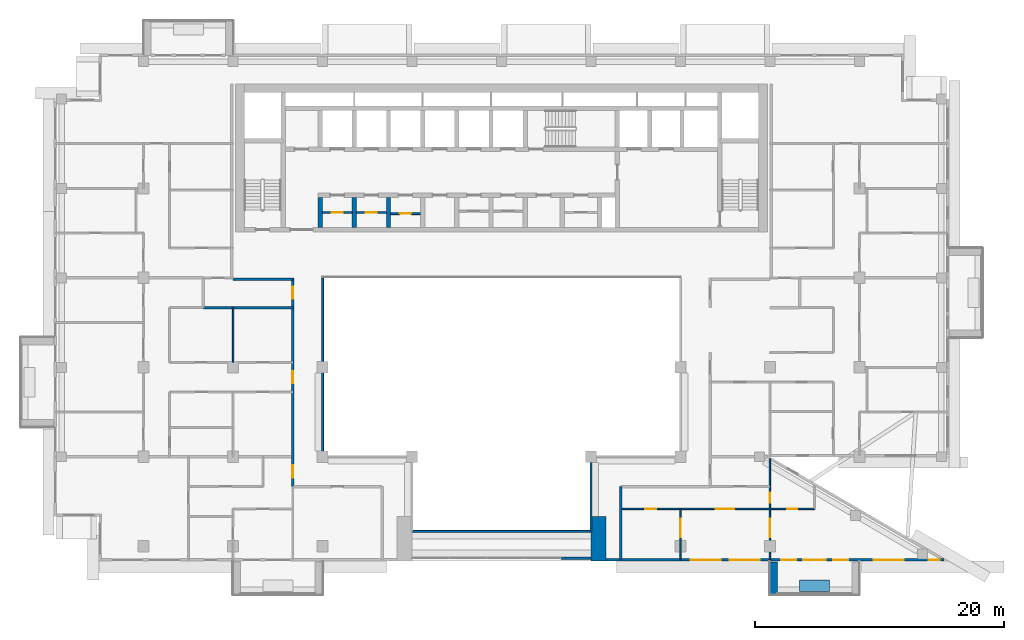
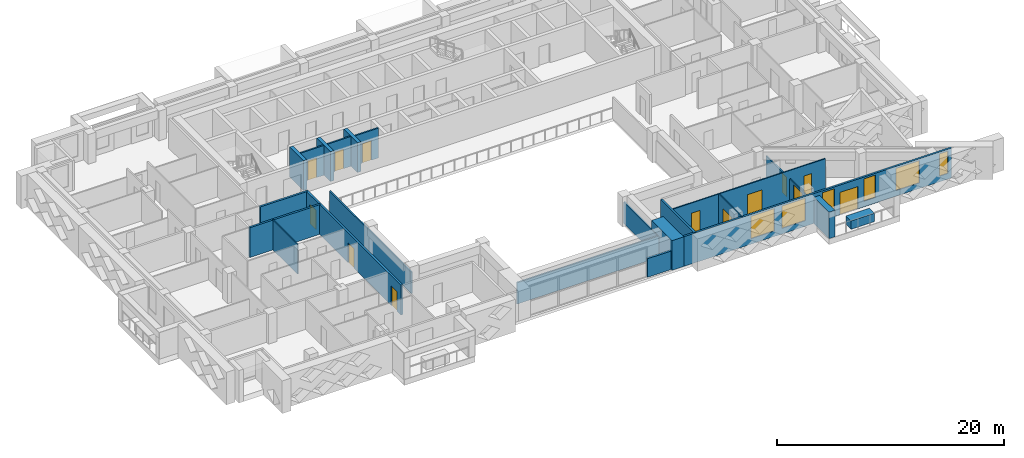
# One storey, part 8 of 20: 22 walls, 13 doors, 6 windows, 19 openings.
"""IFC4 building model written with IfcOpenShell, lengths in metres."""

from ifc_helpers import new_model, si_unit, direction, frame, frame_2d, origin, place, context, subcontext, project, spatial, rectangle, extrude, material, layer, layer_set, type_object, element, fill, save


model = new_model("IFC4")

# Units and contexts
model_context = context("Model", 3, precision=1e-05, world=origin(), true_north=direction((0.0, 1.0)))
body_context = subcontext(model_context, "Body", "Model", "MODEL_VIEW")
ifc_project = project(units=[si_unit("LENGTHUNIT", "METRE"), si_unit("AREAUNIT", "SQUARE_METRE"), si_unit("VOLUMEUNIT", "CUBIC_METRE"), si_unit("PLANEANGLEUNIT", "RADIAN"), si_unit("MASSUNIT", "GRAM", prefix="KILO")], contexts=[model_context])

# Site, building, storey
site_placement = place(None, origin())
site = spatial("IfcSite", under=ifc_project, at=site_placement, CompositionType="ELEMENT")
building_placement = place(site_placement, origin())
building = spatial("IfcBuilding", under=site, at=building_placement, Name="Saffron Iwan Residences", CompositionType="ELEMENT")
storey_placement = place(building_placement, frame((0.0, 0.0, 199.0)))
storey = spatial("IfcBuildingStorey", under=building, at=storey_placement, Name="L53", CompositionType="ELEMENT", Elevation=199.0)

# Walls
ifc_material_1 = material(Name="Fire-rated glazing", Category="glass")
ifc_layer_1 = layer(ifc_material_1, 0.14990234375)
ifc_layer_set_1 = layer_set([ifc_layer_1], Name="Fire-rated glazing")
wall_type_1 = type_object("IfcWallType", Name="Atrium glazed screen 150", PredefinedType="SOLIDWALL", material=ifc_layer_set_1)
wall_1_placement = place(storey_placement, frame((43.199951171875, 42.0, 0.0), z_axis=(0.0, 0.0, 1.0), x_axis=(1.0, 0.0, 0.0)))
element("IfcWall", 1, at=wall_1_placement, inside=storey, type_object=wall_type_1, Name="W-L53-SCREEN-h42-43.2", PredefinedType="SOLIDWALL", context=body_context, shape_type="SweptSolid", body=[
    extrude(rectangle(XDim=14.400146484375, YDim=0.14990234375, at=frame_2d((7.2001953125, 0.0))), origin(), (0.0, 0.0, 1.0), 2.300048828125),
])
wall_2_placement = place(storey_placement, frame((36.0, 48.0, 0.0), z_axis=(0.0, 0.0, 1.0), x_axis=(0.0, 1.0, 0.0)))
element("IfcWall", 2, at=wall_2_placement, inside=storey, type_object=wall_type_1, Name="W-L53-SCREEN-v36-48", PredefinedType="SOLIDWALL", context=body_context, shape_type="SweptSolid", body=[
    extrude(rectangle(XDim=14.39990234375, YDim=0.14990234375, at=frame_2d((7.199951171875, 0.0))), origin(), (0.0, 0.0, 1.0), 2.300048828125),
])
wall_3_placement = place(storey_placement, frame((57.60009765625, 42.0, 0.0), z_axis=(0.0, 0.0, 1.0), x_axis=(0.0, 1.0, 0.0)))
element("IfcWall", 3, at=wall_3_placement, inside=storey, type_object=wall_type_1, Name="W-L53-SCREEN-v57.6-42", PredefinedType="SOLIDWALL", context=body_context, shape_type="SweptSolid", body=[
    extrude(rectangle(XDim=6.0, YDim=0.14990234375, at=frame_2d((3.0, 0.0))), origin(), (0.0, 0.0, 1.0), 2.300048828125),
])
ifc_material_2 = material(Name="Concrete C50/60 white painted", Category="concrete")
ifc_layer_2 = layer(ifc_material_2, 0.60009765625)
ifc_layer_set_2 = layer_set([ifc_layer_2], Name="Concrete C50/60 white painted")
wall_type_2 = type_object("IfcWallType", Name="BALCONY FIN 600", PredefinedType="SOLIDWALL", material=ifc_layer_set_2)
wall_4_placement = place(storey_placement, frame((72.300048828125, 39.550048828125, 0.0), z_axis=(0.0, 0.0, 1.0), x_axis=(0.0, -1.0, 0.0)))
element("IfcWall", 4, at=wall_4_placement, inside=storey, type_object=wall_type_2, Name="Balcony fin L53 11-1a", PredefinedType="SOLIDWALL", context=body_context, shape_type="SweptSolid", body=[
    extrude(rectangle(XDim=2.650146484375, YDim=0.60009765625, at=frame_2d((1.3251953125, 0.0))), origin(), (0.0, 0.0, 1.0), 2.85009765625),
])
ifc_material_3 = material(Name="Concrete C35/45 white painted", Category="concrete")
ifc_layer_3 = layer(ifc_material_3, 0.14990234375)
ifc_layer_set_3 = layer_set([ifc_layer_3], Name="Concrete C35/45 white painted")
wall_type_3 = type_object("IfcWallType", Name="BALCONY PLANTER", PredefinedType="SOLIDWALL", material=ifc_layer_set_3)
wall_5_placement = place(storey_placement, frame((74.39990234375, 37.625, 0.0), z_axis=(0.0, 0.0, 1.0), x_axis=(1.0, 0.0, 0.0)))
element("IfcWall", 5, at=wall_5_placement, inside=storey, type_object=wall_type_3, Name="PLANTER L53 11-1", PredefinedType="SOLIDWALL", context=body_context, shape_type="SweptSolid", body=[
    extrude(rectangle(XDim=2.400146484375, YDim=0.89990234375, at=frame_2d((1.2001953125, 0.0))), origin(), (0.0, 0.0, 1.0), 0.89990234375),
])

# Wall, opening, door
ifc_material_4 = material(Name="Fire-rated plasterboard partition")
ifc_layer_4 = layer(ifc_material_4, 0.14990234375)
ifc_layer_set_4 = layer_set([ifc_layer_4], Name="Fire-rated plasterboard partition")
wall_type_4 = type_object("IfcWallType", Name="Core partition 150", PredefinedType="PARTITIONING", material=ifc_layer_set_4)
wall_6_placement = place(storey_placement, frame((35.97509765625, 67.66259765625, 0.0), z_axis=(0.0, 0.0, 1.0), x_axis=(1.0, 0.0, 0.0)))
wall_6 = element("IfcWall", 6, at=wall_6_placement, inside=storey, type_object=wall_type_4, Name="Core partition P01", PredefinedType="PARTITIONING", context=body_context, shape_type="SweptSolid", body=[
    extrude(rectangle(XDim=2.39990234375, YDim=0.14990234375, at=frame_2d((1.199951171875, 0.0))), origin(), (0.0, 0.0, 1.0), 3.199951171875),
])
opening_1_placement = place(wall_6_placement, frame((0.75, 0.0, 0.0)))
opening_1 = element("IfcOpeningElement", 7, at=opening_1_placement, cuts=wall_6, Name="Opening SB", PredefinedType="OPENING", context=body_context, shape_type="SweptSolid", body=[
    extrude(rectangle(XDim=0.89990234375, YDim=2.10009765625, at=frame_2d((0.449951171875, 1.050048828125))), frame((0.0, 0.0849609375, 0.0), z_axis=(0.0, -1.0, 0.0), x_axis=(1.0, 0.0, 0.0)), (0.0, 0.0, 1.0), 0.169921875),
])
ifc_material_5 = material(Name="Steel fire door", Category="steel")
door_type_1 = type_object("IfcDoorType", Name="Store door 900", OperationType="NOTDEFINED", PredefinedType="DOOR", material=ifc_material_5)
door_1_placement = place(opening_1_placement, origin())
door_1 = element("IfcDoor", 8, at=door_1_placement, inside=storey, type_object=door_type_1, Name="Door Spares store", OperationType="SINGLE_SWING_RIGHT", OverallHeight=2.10009765625, OverallWidth=0.89990234375, PredefinedType="DOOR", context=body_context, shape_type="SweptSolid", body=[
    extrude(rectangle(XDim=0.89990234375, YDim=2.10009765625, at=frame_2d((0.449951171875, 1.050048828125))), frame((0.0, 0.02490234375, 0.0), z_axis=(0.0, -1.0, 0.0), x_axis=(1.0, 0.0, 0.0)), (0.0, 0.0, 1.0), 0.050048828125),
])
fill(opening_1, door_1)

wall_7_placement = place(storey_placement, frame((38.72509765625, 67.66259765625, 0.0), z_axis=(0.0, 0.0, 1.0), x_axis=(1.0, 0.0, 0.0)))
wall_7 = element("IfcWall", 9, at=wall_7_placement, inside=storey, type_object=wall_type_4, Name="Core partition P02", PredefinedType="PARTITIONING", context=body_context, shape_type="SweptSolid", body=[
    extrude(rectangle(XDim=2.39990234375, YDim=0.14990234375, at=frame_2d((1.199951171875, 0.0))), origin(), (0.0, 0.0, 1.0), 3.199951171875),
])
opening_2_placement = place(wall_7_placement, frame((0.75, 0.0, 0.0)))
opening_2 = element("IfcOpeningElement", 10, at=opening_2_placement, cuts=wall_7, Name="Opening SB", PredefinedType="OPENING", context=body_context, shape_type="SweptSolid", body=[
    extrude(rectangle(XDim=0.89990234375, YDim=2.10009765625, at=frame_2d((0.449951171875, 1.050048828125))), frame((0.0, 0.0849609375, 0.0), z_axis=(0.0, -1.0, 0.0), x_axis=(1.0, 0.0, 0.0)), (0.0, 0.0, 1.0), 0.169921875),
])
door_2_placement = place(opening_2_placement, origin())
door_2 = element("IfcDoor", 11, at=door_2_placement, inside=storey, type_object=door_type_1, Name="Door Battery room", OperationType="SINGLE_SWING_LEFT", OverallHeight=2.10009765625, OverallWidth=0.89990234375, PredefinedType="DOOR", context=body_context, shape_type="SweptSolid", body=[
    extrude(rectangle(XDim=0.89990234375, YDim=2.10009765625, at=frame_2d((0.449951171875, 1.050048828125))), frame((0.0, 0.02490234375, 0.0), z_axis=(0.0, -1.0, 0.0), x_axis=(1.0, 0.0, 0.0)), (0.0, 0.0, 1.0), 0.050048828125),
])
fill(opening_2, door_2)

wall_8_placement = place(storey_placement, frame((41.47509765625, 67.5654296875, 0.0), z_axis=(0.0, 0.0, 1.0), x_axis=(1.0, 0.0, 0.0)))
wall_8 = element("IfcWall", 12, at=wall_8_placement, inside=storey, type_object=wall_type_4, Name="Core partition P03", PredefinedType="PARTITIONING", context=body_context, shape_type="SweptSolid", body=[
    extrude(rectangle(XDim=2.39990234375, YDim=0.14990234375, at=frame_2d((1.199951171875, 0.0))), origin(), (0.0, 0.0, 1.0), 3.199951171875),
])
opening_3_placement = place(wall_8_placement, frame((0.75, 0.0, 0.0)))
opening_3 = element("IfcOpeningElement", 13, at=opening_3_placement, cuts=wall_8, Name="Opening SB", PredefinedType="OPENING", context=body_context, shape_type="SweptSolid", body=[
    extrude(rectangle(XDim=0.89990234375, YDim=2.10009765625, at=frame_2d((0.449951171875, 1.050048828125))), frame((0.0, 0.0849609375, 0.0), z_axis=(0.0, -1.0, 0.0), x_axis=(1.0, 0.0, 0.0)), (0.0, 0.0, 1.0), 0.169921875),
])
door_3_placement = place(opening_3_placement, origin())
door_3 = element("IfcDoor", 14, at=door_3_placement, inside=storey, type_object=door_type_1, Name="Door Records store", OperationType="SINGLE_SWING_RIGHT", OverallHeight=2.10009765625, OverallWidth=0.89990234375, PredefinedType="DOOR", context=body_context, shape_type="SweptSolid", body=[
    extrude(rectangle(XDim=0.89990234375, YDim=2.10009765625, at=frame_2d((0.449951171875, 1.050048828125))), frame((0.0, 0.02490234375, 0.0), z_axis=(0.0, -1.0, 0.0), x_axis=(1.0, 0.0, 0.0)), (0.0, 0.0, 1.0), 0.050048828125),
])
fill(opening_3, door_3)

# Wall, openings, door, windows
ifc_material_6 = material(Name="Concrete C40/50", Category="concrete")
ifc_layer_5 = layer(ifc_material_6, 0.199951171875)
ifc_layer_set_5 = layer_set([ifc_layer_5], Name="Concrete C40/50")
wall_type_5 = type_object("IfcWallType", Name="EXTERNAL WALL 200", PredefinedType="SOLIDWALL", material=ifc_layer_set_5)
wall_9_placement = place(storey_placement, frame((58.800048828125, 39.699951171875, 0.0), z_axis=(0.0, 0.0, 1.0), x_axis=(1.0, 0.0, 0.0)))
wall_9 = element("IfcWall", 15, at=wall_9_placement, inside=storey, type_object=wall_type_5, Name="External wall L53 F11.1", PredefinedType="SOLIDWALL", context=body_context, shape_type="SweptSolid", body=[
    extrude(rectangle(XDim=27.22998046875, YDim=0.199951171875, at=frame_2d((13.614990234375, 0.0))), origin(), (0.0, 0.0, 1.0), 3.199951171875),
])
opening_4_placement = place(wall_9_placement, frame((15.89990234375, 0.0, 0.0)))
opening_4 = element("IfcOpeningElement", 16, at=opening_4_placement, cuts=wall_9, Name="Opening BD1", PredefinedType="OPENING", context=body_context, shape_type="SweptSolid", body=[
    extrude(rectangle(XDim=1.800048828125, YDim=2.39990234375, at=frame_2d((0.89990234375, 1.199951171875))), frame((0.0, 0.10986328125, 0.0), z_axis=(0.0, -1.0, 0.0), x_axis=(1.0, 0.0, 0.0)), (0.0, 0.0, 1.0), 0.219970703125),
])
opening_5_placement = place(wall_9_placement, frame((6.833251953125, 0.0, 0.60009765625)))
opening_5 = element("IfcOpeningElement", 17, at=opening_5_placement, cuts=wall_9, Name="Opening W1", PredefinedType="OPENING", context=body_context, shape_type="SweptSolid", body=[
    extrude(rectangle(XDim=2.39990234375, YDim=2.39990234375, at=frame_2d((1.199951171875, 1.199951171875))), frame((0.0, 0.10986328125, 0.0), z_axis=(0.0, -1.0, 0.0), x_axis=(1.0, 0.0, 0.0)), (0.0, 0.0, 1.0), 0.219970703125),
])
opening_6_placement = place(wall_9_placement, frame((9.966796875, 0.0, 0.60009765625)))
opening_6 = element("IfcOpeningElement", 18, at=opening_6_placement, cuts=wall_9, Name="Opening W1", PredefinedType="OPENING", context=body_context, shape_type="SweptSolid", body=[
    extrude(rectangle(XDim=2.39990234375, YDim=2.39990234375, at=frame_2d((1.199951171875, 1.199951171875))), frame((0.0, 0.10986328125, 0.0), z_axis=(0.0, -1.0, 0.0), x_axis=(1.0, 0.0, 0.0)), (0.0, 0.0, 1.0), 0.219970703125),
])
opening_7_placement = place(wall_9_placement, frame((14.10009765625, 0.0, 0.60009765625)))
opening_7 = element("IfcOpeningElement", 19, at=opening_7_placement, cuts=wall_9, Name="Opening W3", PredefinedType="OPENING", context=body_context, shape_type="SweptSolid", body=[
    extrude(rectangle(XDim=1.199951171875, YDim=2.39990234375, at=frame_2d((0.60009765625, 1.199951171875))), frame((0.0, 0.10986328125, 0.0), z_axis=(0.0, -1.0, 0.0), x_axis=(1.0, 0.0, 0.0)), (0.0, 0.0, 1.0), 0.219970703125),
])
opening_8_placement = place(wall_9_placement, frame((18.300048828125, 0.0, 0.60009765625)))
opening_8 = element("IfcOpeningElement", 20, at=opening_8_placement, cuts=wall_9, Name="Opening W3", PredefinedType="OPENING", context=body_context, shape_type="SweptSolid", body=[
    extrude(rectangle(XDim=1.199951171875, YDim=2.39990234375, at=frame_2d((0.60009765625, 1.199951171875))), frame((0.0, 0.10986328125, 0.0), z_axis=(0.0, -1.0, 0.0), x_axis=(1.0, 0.0, 0.0)), (0.0, 0.0, 1.0), 0.219970703125),
])
opening_9_placement = place(wall_9_placement, frame((21.56298828125, 0.0, 0.60009765625)))
opening_9 = element("IfcOpeningElement", 21, at=opening_9_placement, cuts=wall_9, Name="Opening W1", PredefinedType="OPENING", context=body_context, shape_type="SweptSolid", body=[
    extrude(rectangle(XDim=2.39990234375, YDim=2.39990234375, at=frame_2d((1.199951171875, 1.199951171875))), frame((0.0, 0.10986328125, 0.0), z_axis=(0.0, -1.0, 0.0), x_axis=(1.0, 0.0, 0.0)), (0.0, 0.0, 1.0), 0.219970703125),
])
opening_10_placement = place(wall_9_placement, frame((25.978271484375, 0.0, 0.60009765625)))
opening_10 = element("IfcOpeningElement", 22, at=opening_10_placement, cuts=wall_9, Name="Opening W10", PredefinedType="OPENING", context=body_context, shape_type="SweptSolid", body=[
    extrude(rectangle(XDim=0.89990234375, YDim=2.39990234375, at=frame_2d((0.449951171875, 1.199951171875))), frame((0.0, 0.10986328125, 0.0), z_axis=(0.0, -1.0, 0.0), x_axis=(1.0, 0.0, 0.0)), (0.0, 0.0, 1.0), 0.219970703125),
])
ifc_material_7 = material(Name="Clear glass, laminated double glazed", Category="glass")
door_type_2 = type_object("IfcDoorType", Name="BALCONY DOOR 1800 x 2400", OperationType="DOUBLE_DOOR_SLIDING", PredefinedType="DOOR", material=ifc_material_7)
door_4_placement = place(opening_4_placement, origin())
door_4 = element("IfcDoor", 23, at=door_4_placement, inside=storey, type_object=door_type_2, Name="Balcony door L53 F11.0", OperationType="DOUBLE_DOOR_SLIDING", OverallHeight=2.39990234375, OverallWidth=1.800048828125, PredefinedType="DOOR", context=body_context, shape_type="SweptSolid", body=[
    extrude(rectangle(XDim=1.800048828125, YDim=2.39990234375, at=frame_2d((0.89990234375, 1.199951171875))), frame((0.0, 0.02490234375, 0.0), z_axis=(0.0, -1.0, 0.0), x_axis=(1.0, 0.0, 0.0)), (0.0, 0.0, 1.0), 0.050048828125),
])
fill(opening_4, door_4)
window_type_1 = type_object("IfcWindowType", Name="WINDOW 1200 x 2400", PartitioningType="SINGLE_PANEL", PredefinedType="WINDOW", material=ifc_material_7)
window_1_placement = place(opening_7_placement, origin())
window_1 = element("IfcWindow", 24, at=window_1_placement, inside=storey, type_object=window_type_1, Name="Window L53 F11.3", OverallHeight=2.39990234375, OverallWidth=1.199951171875, PartitioningType="SINGLE_PANEL", PredefinedType="WINDOW", context=body_context, shape_type="SweptSolid", body=[
    extrude(rectangle(XDim=1.199951171875, YDim=2.39990234375, at=frame_2d((0.60009765625, 1.199951171875))), frame((0.0, 0.030029296875, 0.0), z_axis=(0.0, -1.0, 0.0), x_axis=(1.0, 0.0, 0.0)), (0.0, 0.0, 1.0), 0.06005859375),
])
fill(opening_7, window_1)
window_2_placement = place(opening_8_placement, origin())
window_2 = element("IfcWindow", 25, at=window_2_placement, inside=storey, type_object=window_type_1, Name="Window L53 F11.4", OverallHeight=2.39990234375, OverallWidth=1.199951171875, PartitioningType="SINGLE_PANEL", PredefinedType="WINDOW", context=body_context, shape_type="SweptSolid", body=[
    extrude(rectangle(XDim=1.199951171875, YDim=2.39990234375, at=frame_2d((0.60009765625, 1.199951171875))), frame((0.0, 0.030029296875, 0.0), z_axis=(0.0, -1.0, 0.0), x_axis=(1.0, 0.0, 0.0)), (0.0, 0.0, 1.0), 0.06005859375),
])
fill(opening_8, window_2)
window_type_2 = type_object("IfcWindowType", Name="WINDOW 2400 x 2400", PartitioningType="DOUBLE_PANEL_VERTICAL", PredefinedType="WINDOW", material=ifc_material_7)
window_3_placement = place(opening_5_placement, origin())
window_3 = element("IfcWindow", 26, at=window_3_placement, inside=storey, type_object=window_type_2, Name="Window L53 F11.1", OverallHeight=2.39990234375, OverallWidth=2.39990234375, PartitioningType="DOUBLE_PANEL_VERTICAL", PredefinedType="WINDOW", context=body_context, shape_type="SweptSolid", body=[
    extrude(rectangle(XDim=2.39990234375, YDim=2.39990234375, at=frame_2d((1.199951171875, 1.199951171875))), frame((0.0, 0.030029296875, 0.0), z_axis=(0.0, -1.0, 0.0), x_axis=(1.0, 0.0, 0.0)), (0.0, 0.0, 1.0), 0.06005859375),
])
fill(opening_5, window_3)
window_4_placement = place(opening_6_placement, origin())
window_4 = element("IfcWindow", 27, at=window_4_placement, inside=storey, type_object=window_type_2, Name="Window L53 F11.2", OverallHeight=2.39990234375, OverallWidth=2.39990234375, PartitioningType="DOUBLE_PANEL_VERTICAL", PredefinedType="WINDOW", context=body_context, shape_type="SweptSolid", body=[
    extrude(rectangle(XDim=2.39990234375, YDim=2.39990234375, at=frame_2d((1.199951171875, 1.199951171875))), frame((0.0, 0.030029296875, 0.0), z_axis=(0.0, -1.0, 0.0), x_axis=(1.0, 0.0, 0.0)), (0.0, 0.0, 1.0), 0.06005859375),
])
fill(opening_6, window_4)
window_5_placement = place(opening_9_placement, origin())
window_5 = element("IfcWindow", 28, at=window_5_placement, inside=storey, type_object=window_type_2, Name="Window L53 F11.5", OverallHeight=2.39990234375, OverallWidth=2.39990234375, PartitioningType="DOUBLE_PANEL_VERTICAL", PredefinedType="WINDOW", context=body_context, shape_type="SweptSolid", body=[
    extrude(rectangle(XDim=2.39990234375, YDim=2.39990234375, at=frame_2d((1.199951171875, 1.199951171875))), frame((0.0, 0.030029296875, 0.0), z_axis=(0.0, -1.0, 0.0), x_axis=(1.0, 0.0, 0.0)), (0.0, 0.0, 1.0), 0.06005859375),
])
fill(opening_9, window_5)
window_type_3 = type_object("IfcWindowType", Name="WINDOW 900 x 2400", PartitioningType="SINGLE_PANEL", PredefinedType="WINDOW", material=ifc_material_7)
window_6_placement = place(opening_10_placement, origin())
window_6 = element("IfcWindow", 29, at=window_6_placement, inside=storey, type_object=window_type_3, Name="Window L53 F11.6", OverallHeight=2.39990234375, OverallWidth=0.89990234375, PartitioningType="SINGLE_PANEL", PredefinedType="WINDOW", context=body_context, shape_type="SweptSolid", body=[
    extrude(rectangle(XDim=0.89990234375, YDim=2.39990234375, at=frame_2d((0.449951171875, 1.199951171875))), frame((0.0, 0.030029296875, 0.0), z_axis=(0.0, -1.0, 0.0), x_axis=(1.0, 0.0, 0.0)), (0.0, 0.0, 1.0), 0.06005859375),
])
fill(opening_10, window_6)

# Walls
wall_10_placement = place(storey_placement, frame((55.199951171875, 39.85009765625, 0.0), z_axis=(0.0, 0.0, 1.0), x_axis=(1.0, 0.0, 0.0)))
element("IfcWall", 30, at=wall_10_placement, inside=storey, type_object=wall_type_5, Name="External wall infill CWB-L53-0", PredefinedType="SOLIDWALL", context=body_context, shape_type="SweptSolid", body=[
    extrude(rectangle(XDim=2.400146484375, YDim=0.199951171875, at=frame_2d((1.2001953125, 0.0))), origin(), (0.0, 0.0, 1.0), 2.0),
])
ifc_material_8 = material(Name="Fire-rated gypsum board wall")
ifc_layer_6 = layer(ifc_material_8, 0.199951171875)
ifc_layer_set_6 = layer_set([ifc_layer_6], Name="Fire-rated gypsum board wall")
wall_type_6 = type_object("IfcWallType", Name="Flat demising wall 200", PredefinedType="SOLIDWALL", material=ifc_layer_set_6)
wall_11_placement = place(storey_placement, frame((26.39990234375, 60.0, 0.0), z_axis=(0.0, 0.0, 1.0), x_axis=(1.0, 0.0, 0.0)))
element("IfcWall", 31, at=wall_11_placement, inside=storey, type_object=wall_type_6, Name="W-L53-DEMISE-h60-26.4", PredefinedType="SOLIDWALL", context=body_context, shape_type="SweptSolid", body=[
    extrude(rectangle(XDim=7.2001953125, YDim=0.199951171875, at=frame_2d((3.60009765625, 0.0))), origin(), (0.0, 0.0, 1.0), 3.199951171875),
])

# Wall, openings, doors
ifc_material_9 = material(Name="Gypsum board partition")
ifc_layer_7 = layer(ifc_material_9, 0.1201171875)
ifc_layer_set_7 = layer_set([ifc_layer_7], Name="Gypsum board partition")
wall_type_7 = type_object("IfcWallType", Name="Flat partition 120", PredefinedType="PARTITIONING", material=ifc_layer_set_7)
wall_12_placement = place(storey_placement, frame((60.0, 43.800048828125, 0.0), z_axis=(0.0, 0.0, 1.0), x_axis=(1.0, 0.0, 0.0)))
wall_12 = element("IfcWall", 32, at=wall_12_placement, inside=storey, type_object=wall_type_7, Name="W-L53-PART-h43.8-60", PredefinedType="PARTITIONING", context=body_context, shape_type="SweptSolid", body=[
    extrude(rectangle(XDim=15.60009765625, YDim=0.1201171875, at=frame_2d((7.800048828125, 0.0))), origin(), (0.0, 0.0, 1.0), 3.199951171875),
])
opening_11_placement = place(wall_12_placement, frame((7.64990234375, 0.0, 0.0)))
opening_11 = element("IfcOpeningElement", 33, at=opening_11_placement, cuts=wall_12, Name="Opening FD4", PredefinedType="OPENING", context=body_context, shape_type="SweptSolid", body=[
    extrude(rectangle(XDim=1.5, YDim=2.10009765625, at=frame_2d((0.75, 1.050048828125))), frame((0.0, 0.070068359375, 0.0), z_axis=(0.0, -1.0, 0.0), x_axis=(1.0, 0.0, 0.0)), (0.0, 0.0, 1.0), 0.14013671875),
])
opening_12_placement = place(wall_12_placement, frame((1.949951171875, 0.0, 0.0)))
opening_12 = element("IfcOpeningElement", 34, at=opening_12_placement, cuts=wall_12, Name="Opening FD2", PredefinedType="OPENING", context=body_context, shape_type="SweptSolid", body=[
    extrude(rectangle(XDim=0.89990234375, YDim=2.10009765625, at=frame_2d((0.449951171875, 1.050048828125))), frame((0.0, 0.070068359375, 0.0), z_axis=(0.0, -1.0, 0.0), x_axis=(1.0, 0.0, 0.0)), (0.0, 0.0, 1.0), 0.14013671875),
])
opening_13_placement = place(wall_12_placement, frame((13.39990234375, 0.0, 0.0)))
opening_13 = element("IfcOpeningElement", 35, at=opening_13_placement, cuts=wall_12, Name="Opening FD3", PredefinedType="OPENING", context=body_context, shape_type="SweptSolid", body=[
    extrude(rectangle(XDim=0.800048828125, YDim=2.10009765625, at=frame_2d((0.39990234375, 1.050048828125))), frame((0.0, 0.070068359375, 0.0), z_axis=(0.0, -1.0, 0.0), x_axis=(1.0, 0.0, 0.0)), (0.0, 0.0, 1.0), 0.14013671875),
])
ifc_material_10 = material(Name="Timber door", Category="wood")
door_type_3 = type_object("IfcDoorType", Name="Bathroom door 800", OperationType="NOTDEFINED", PredefinedType="DOOR", material=ifc_material_10)
door_5_placement = place(opening_13_placement, origin())
door_5 = element("IfcDoor", 36, at=door_5_placement, inside=storey, type_object=door_type_3, Name="Door L53-047", OperationType="SINGLE_SWING_RIGHT", OverallHeight=2.10009765625, OverallWidth=0.800048828125, PredefinedType="DOOR", context=body_context, shape_type="SweptSolid", body=[
    extrude(rectangle(XDim=0.800048828125, YDim=2.10009765625, at=frame_2d((0.39990234375, 1.050048828125))), frame((0.0, 0.02490234375, 0.0), z_axis=(0.0, -1.0, 0.0), x_axis=(1.0, 0.0, 0.0)), (0.0, 0.0, 1.0), 0.050048828125),
])
fill(opening_13, door_5)
door_type_4 = type_object("IfcDoorType", Name="Double door 1500", OperationType="NOTDEFINED", PredefinedType="DOOR", material=ifc_material_10)
door_6_placement = place(opening_11_placement, origin())
door_6 = element("IfcDoor", 37, at=door_6_placement, inside=storey, type_object=door_type_4, Name="Door L53-043", OperationType="SINGLE_SWING_LEFT", OverallHeight=2.10009765625, OverallWidth=1.5, PredefinedType="DOOR", context=body_context, shape_type="SweptSolid", body=[
    extrude(rectangle(XDim=1.5, YDim=2.10009765625, at=frame_2d((0.75, 1.050048828125))), frame((0.0, 0.02490234375, 0.0), z_axis=(0.0, -1.0, 0.0), x_axis=(1.0, 0.0, 0.0)), (0.0, 0.0, 1.0), 0.050048828125),
])
fill(opening_11, door_6)
door_type_5 = type_object("IfcDoorType", Name="Flat door 900", OperationType="NOTDEFINED", PredefinedType="DOOR", material=ifc_material_10)
door_7_placement = place(opening_12_placement, origin())
door_7 = element("IfcDoor", 38, at=door_7_placement, inside=storey, type_object=door_type_5, Name="Door L53-044", OperationType="SINGLE_SWING_RIGHT", OverallHeight=2.10009765625, OverallWidth=0.89990234375, PredefinedType="DOOR", context=body_context, shape_type="SweptSolid", body=[
    extrude(rectangle(XDim=0.89990234375, YDim=2.10009765625, at=frame_2d((0.449951171875, 1.050048828125))), frame((0.0, 0.02490234375, 0.0), z_axis=(0.0, -1.0, 0.0), x_axis=(1.0, 0.0, 0.0)), (0.0, 0.0, 1.0), 0.050048828125),
])
fill(opening_12, door_7)

# Wall
wall_13_placement = place(storey_placement, frame((28.800048828125, 55.60009765625, 0.0), z_axis=(0.0, 0.0, 1.0), x_axis=(0.0, 1.0, 0.0)))
element("IfcWall", 39, at=wall_13_placement, inside=storey, type_object=wall_type_7, Name="W-L53-PART-v28.8-55.6", PredefinedType="PARTITIONING", context=body_context, shape_type="SweptSolid", body=[
    extrude(rectangle(XDim=4.39990234375, YDim=0.1201171875, at=frame_2d((2.199951171875, 0.0))), origin(), (0.0, 0.0, 1.0), 3.199951171875),
])

# Wall, opening, door
wall_14_placement = place(storey_placement, frame((64.800048828125, 39.72509765625, 0.0), z_axis=(0.0, 0.0, 1.0), x_axis=(0.0, 1.0, 0.0)))
wall_14 = element("IfcWall", 40, at=wall_14_placement, inside=storey, type_object=wall_type_7, Name="W-L53-PART-v64.8-39.725", PredefinedType="PARTITIONING", context=body_context, shape_type="SweptSolid", body=[
    extrude(rectangle(XDim=4.074951171875, YDim=0.1201171875, at=frame_2d((2.03759765625, 0.0))), origin(), (0.0, 0.0, 1.0), 3.199951171875),
])
opening_14_placement = place(wall_14_placement, frame((1.78759765625, 0.0, 0.0)))
opening_14 = element("IfcOpeningElement", 41, at=opening_14_placement, cuts=wall_14, Name="Opening FD4", PredefinedType="OPENING", context=body_context, shape_type="SweptSolid", body=[
    extrude(rectangle(XDim=1.5, YDim=2.10009765625, at=frame_2d((0.75, 1.050048828125))), frame((0.0, 0.070068359375, 0.0), z_axis=(0.0, -1.0, 0.0), x_axis=(1.0, 0.0, 0.0)), (0.0, 0.0, 1.0), 0.14013671875),
])
door_8_placement = place(opening_14_placement, origin())
door_8 = element("IfcDoor", 42, at=door_8_placement, inside=storey, type_object=door_type_4, Name="Door L53-040", OperationType="SINGLE_SWING_RIGHT", OverallHeight=2.10009765625, OverallWidth=1.5, PredefinedType="DOOR", context=body_context, shape_type="SweptSolid", body=[
    extrude(rectangle(XDim=1.5, YDim=2.10009765625, at=frame_2d((0.75, 1.050048828125))), frame((0.0, 0.02490234375, 0.0), z_axis=(0.0, -1.0, 0.0), x_axis=(1.0, 0.0, 0.0)), (0.0, 0.0, 1.0), 0.050048828125),
])
fill(opening_14, door_8)

# Wall, openings, doors
wall_15_placement = place(storey_placement, frame((72.0, 39.72509765625, 0.0), z_axis=(0.0, 0.0, 1.0), x_axis=(0.0, 1.0, 0.0)))
wall_15 = element("IfcWall", 43, at=wall_15_placement, inside=storey, type_object=wall_type_7, Name="W-L53-PART-v72-39.725", PredefinedType="PARTITIONING", context=body_context, shape_type="SweptSolid", body=[
    extrude(rectangle(XDim=8.1298828125, YDim=0.1201171875, at=frame_2d((4.06494140625, 0.0))), origin(), (0.0, 0.0, 1.0), 2.300048828125),
])
opening_15_placement = place(wall_15_placement, frame((1.78759765625, 0.0, 0.0)))
opening_15 = element("IfcOpeningElement", 44, at=opening_15_placement, cuts=wall_15, Name="Opening FD4", PredefinedType="OPENING", context=body_context, shape_type="SweptSolid", body=[
    extrude(rectangle(XDim=1.5, YDim=2.10009765625, at=frame_2d((0.75, 1.050048828125))), frame((0.0, 0.070068359375, 0.0), z_axis=(0.0, -1.0, 0.0), x_axis=(1.0, 0.0, 0.0)), (0.0, 0.0, 1.0), 0.14013671875),
])
opening_16_placement = place(wall_15_placement, frame((4.574951171875, 0.0, 0.0)))
opening_16 = element("IfcOpeningElement", 45, at=opening_16_placement, cuts=wall_15, Name="Opening FD3", PredefinedType="OPENING", context=body_context, shape_type="SweptSolid", body=[
    extrude(rectangle(XDim=0.800048828125, YDim=2.10009765625, at=frame_2d((0.39990234375, 1.050048828125))), frame((0.0, 0.070068359375, 0.0), z_axis=(0.0, -1.0, 0.0), x_axis=(1.0, 0.0, 0.0)), (0.0, 0.0, 1.0), 0.14013671875),
])
door_9_placement = place(opening_16_placement, origin())
door_9 = element("IfcDoor", 46, at=door_9_placement, inside=storey, type_object=door_type_3, Name="Door L53-046", OperationType="SINGLE_SWING_LEFT", OverallHeight=2.10009765625, OverallWidth=0.800048828125, PredefinedType="DOOR", context=body_context, shape_type="SweptSolid", body=[
    extrude(rectangle(XDim=0.800048828125, YDim=2.10009765625, at=frame_2d((0.39990234375, 1.050048828125))), frame((0.0, 0.02490234375, 0.0), z_axis=(0.0, -1.0, 0.0), x_axis=(1.0, 0.0, 0.0)), (0.0, 0.0, 1.0), 0.050048828125),
])
fill(opening_16, door_9)
door_10_placement = place(opening_15_placement, origin())
door_10 = element("IfcDoor", 47, at=door_10_placement, inside=storey, type_object=door_type_4, Name="Door L53-045", OperationType="SINGLE_SWING_RIGHT", OverallHeight=2.10009765625, OverallWidth=1.5, PredefinedType="DOOR", context=body_context, shape_type="SweptSolid", body=[
    extrude(rectangle(XDim=1.5, YDim=2.10009765625, at=frame_2d((0.75, 1.050048828125))), frame((0.0, 0.02490234375, 0.0), z_axis=(0.0, -1.0, 0.0), x_axis=(1.0, 0.0, 0.0)), (0.0, 0.0, 1.0), 0.050048828125),
])
fill(opening_15, door_10)

# Wall
ifc_layer_8 = layer(ifc_material_8, 0.199951171875)
ifc_layer_set_8 = layer_set([ifc_layer_8], Name="Fire-rated gypsum board wall")
wall_type_8 = type_object("IfcWallType", Name="Gallery wall 200", PredefinedType="SOLIDWALL", material=ifc_layer_set_8)
wall_16_placement = place(storey_placement, frame((28.800048828125, 62.300048828125, 0.0), z_axis=(0.0, 0.0, 1.0), x_axis=(1.0, 0.0, 0.0)))
element("IfcWall", 48, at=wall_16_placement, inside=storey, type_object=wall_type_8, Name="W-L53-CORR-h62.4-28.8", PredefinedType="SOLIDWALL", context=body_context, shape_type="SweptSolid", body=[
    extrude(rectangle(XDim=4.800048828125, YDim=0.199951171875, at=frame_2d((2.39990234375, 0.0))), origin(), (0.0, 0.0, 1.0), 3.199951171875),
])

# Wall, openings, doors
wall_17_placement = place(storey_placement, frame((33.60009765625, 45.60009765625, 0.0), z_axis=(0.0, 0.0, 1.0), x_axis=(0.0, 1.0, 0.0)))
wall_17 = element("IfcWall", 49, at=wall_17_placement, inside=storey, type_object=wall_type_8, Name="W-L53-CORR-v33.6-45.6", PredefinedType="SOLIDWALL", context=body_context, shape_type="SweptSolid", body=[
    extrude(rectangle(XDim=16.7998046875, YDim=0.199951171875, at=frame_2d((8.39990234375, 0.0))), origin(), (0.0, 0.0, 1.0), 3.199951171875),
])
opening_17_placement = place(wall_17_placement, frame((0.699951171875, 0.0, 0.0)))
opening_17 = element("IfcOpeningElement", 50, at=opening_17_placement, cuts=wall_17, Name="Opening FD1", PredefinedType="OPENING", context=body_context, shape_type="SweptSolid", body=[
    extrude(rectangle(XDim=1.0, YDim=2.10009765625, at=frame_2d((0.5, 1.050048828125))), frame((0.0, 0.10986328125, 0.0), z_axis=(0.0, -1.0, 0.0), x_axis=(1.0, 0.0, 0.0)), (0.0, 0.0, 1.0), 0.219970703125),
])
opening_18_placement = place(wall_17_placement, frame((8.300048828125, 0.0, 0.0)))
opening_18 = element("IfcOpeningElement", 51, at=opening_18_placement, cuts=wall_17, Name="Opening FD1", PredefinedType="OPENING", context=body_context, shape_type="SweptSolid", body=[
    extrude(rectangle(XDim=1.0, YDim=2.10009765625, at=frame_2d((0.5, 1.050048828125))), frame((0.0, 0.10986328125, 0.0), z_axis=(0.0, -1.0, 0.0), x_axis=(1.0, 0.0, 0.0)), (0.0, 0.0, 1.0), 0.219970703125),
])
opening_19_placement = place(wall_17_placement, frame((15.10009765625, 0.0, 0.0)))
opening_19 = element("IfcOpeningElement", 52, at=opening_19_placement, cuts=wall_17, Name="Opening FD5", PredefinedType="OPENING", context=body_context, shape_type="SweptSolid", body=[
    extrude(rectangle(XDim=1.0, YDim=2.10009765625, at=frame_2d((0.5, 1.050048828125))), frame((0.0, 0.10986328125, 0.0), z_axis=(0.0, -1.0, 0.0), x_axis=(1.0, 0.0, 0.0)), (0.0, 0.0, 1.0), 0.219970703125),
])
ifc_material_11 = material(Name="Fire-rated timber door", Category="wood")
door_type_6 = type_object("IfcDoorType", Name="FD30S flat entrance door 1000", OperationType="NOTDEFINED", PredefinedType="DOOR", material=ifc_material_11)
door_11_placement = place(opening_17_placement, origin())
door_11 = element("IfcDoor", 53, at=door_11_placement, inside=storey, type_object=door_type_6, Name="Door L53-001", OperationType="SINGLE_SWING_LEFT", OverallHeight=2.10009765625, OverallWidth=1.0, PredefinedType="DOOR", context=body_context, shape_type="SweptSolid", body=[
    extrude(rectangle(XDim=1.0, YDim=2.10009765625, at=frame_2d((0.5, 1.050048828125))), frame((0.0, 0.02490234375, 0.0), z_axis=(0.0, -1.0, 0.0), x_axis=(1.0, 0.0, 0.0)), (0.0, 0.0, 1.0), 0.050048828125),
])
fill(opening_17, door_11)
door_12_placement = place(opening_18_placement, origin())
door_12 = element("IfcDoor", 54, at=door_12_placement, inside=storey, type_object=door_type_6, Name="Door L53-007", OperationType="SINGLE_SWING_LEFT", OverallHeight=2.10009765625, OverallWidth=1.0, PredefinedType="DOOR", context=body_context, shape_type="SweptSolid", body=[
    extrude(rectangle(XDim=1.0, YDim=2.10009765625, at=frame_2d((0.5, 1.050048828125))), frame((0.0, 0.02490234375, 0.0), z_axis=(0.0, -1.0, 0.0), x_axis=(1.0, 0.0, 0.0)), (0.0, 0.0, 1.0), 0.050048828125),
])
fill(opening_18, door_12)
door_type_7 = type_object("IfcDoorType", Name="Lobby door 1000", OperationType="NOTDEFINED", PredefinedType="DOOR", material=ifc_material_11)
door_13_placement = place(opening_19_placement, origin())
door_13 = element("IfcDoor", 55, at=door_13_placement, inside=storey, type_object=door_type_7, Name="Door L53-025", OperationType="SINGLE_SWING_LEFT", OverallHeight=2.10009765625, OverallWidth=1.0, PredefinedType="DOOR", context=body_context, shape_type="SweptSolid", body=[
    extrude(rectangle(XDim=1.0, YDim=2.10009765625, at=frame_2d((0.5, 1.050048828125))), frame((0.0, 0.02490234375, 0.0), z_axis=(0.0, -1.0, 0.0), x_axis=(1.0, 0.0, 0.0)), (0.0, 0.0, 1.0), 0.050048828125),
])
fill(opening_19, door_13)

# Walls
wall_18_placement = place(storey_placement, frame((60.0, 39.72509765625, 0.0), z_axis=(0.0, 0.0, 1.0), x_axis=(0.0, 1.0, 0.0)))
element("IfcWall", 56, at=wall_18_placement, inside=storey, type_object=wall_type_8, Name="W-L53-CORR-v60-39.725", PredefinedType="SOLIDWALL", context=body_context, shape_type="SweptSolid", body=[
    extrude(rectangle(XDim=5.875, YDim=0.199951171875, at=frame_2d((2.9375, 0.0))), origin(), (0.0, 0.0, 1.0), 3.199951171875),
])
ifc_material_12 = material(Name="Concrete C50/60", Category="concrete")
ifc_layer_9 = layer(ifc_material_12, 0.35009765625)
ifc_layer_set_9 = layer_set([ifc_layer_9], Name="Concrete C50/60")
wall_type_9 = type_object("IfcWallType", Name="WALL CORE 350 C50/60 3200 HIGH", PredefinedType="SHEAR", material=ifc_layer_set_9)
for number, where, z_axis, x_axis, name in (
    (57, (35.800048828125, 66.449951171875, 0.0), (0.0, 0.0, 1.0), (0.0, 1.0, 0.0), "Core wall"),
    (58, (38.550048828125, 66.449951171875, 0.0), (0.0, 0.0, 1.0), (0.0, 1.0, 0.0), "Core wall"),
    (59, (41.300048828125, 66.449951171875, 0.0), (0.0, 0.0, 1.0), (0.0, 1.0, 0.0), "Core wall"),
):
    element("IfcWall", number, at=place(storey_placement, frame(where, z_axis=z_axis, x_axis=x_axis)), inside=storey, type_object=wall_type_9, Name=name, PredefinedType="SHEAR", context=body_context, shape_type="SweptSolid", body=[
        extrude(rectangle(XDim=2.425048828125, YDim=0.35009765625, at=frame_2d((1.21240234375, 0.0))), origin(), (0.0, 0.0, 1.0), 3.199951171875),
    ])
ifc_layer_10 = layer(ifc_material_12, 1.199951171875)
ifc_layer_set_10 = layer_set([ifc_layer_10], Name="Concrete C50/60")
wall_type_10 = type_object("IfcWallType", Name="WALL IWAN PIER 1200 C50/60 3200 HIGH", PredefinedType="SHEAR", material=ifc_layer_set_10)
wall_19_placement = place(storey_placement, frame((58.199951171875, 39.60009765625, 0.0), z_axis=(0.0, 0.0, 1.0), x_axis=(0.0, 1.0, 0.0)))
element("IfcWall", 60, at=wall_19_placement, inside=storey, type_object=wall_type_10, Name="IWAN PIER", PredefinedType="SHEAR", context=body_context, shape_type="SweptSolid", body=[
    extrude(rectangle(XDim=3.599853515625, YDim=1.199951171875, at=frame_2d((1.7998046875, 0.0))), origin(), (0.0, 0.0, 1.0), 3.199951171875),
])

save(model, "model.ifc")
